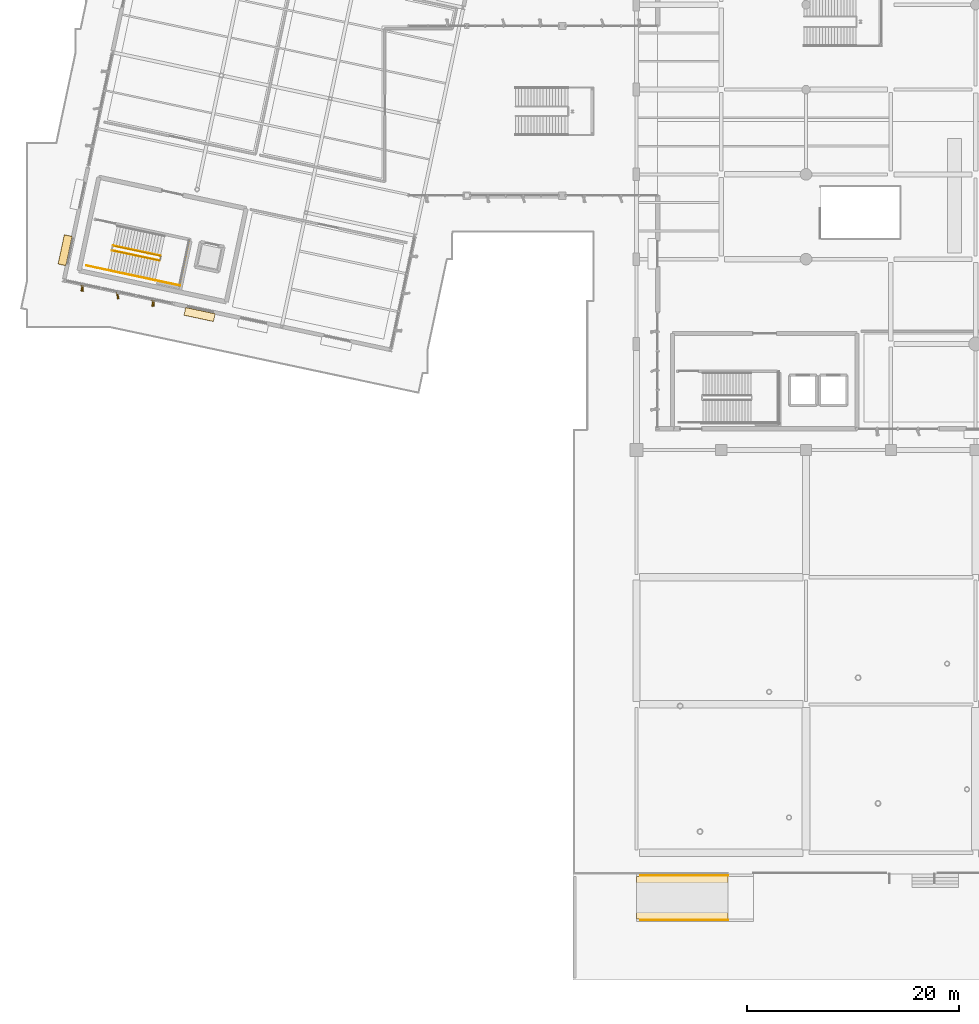
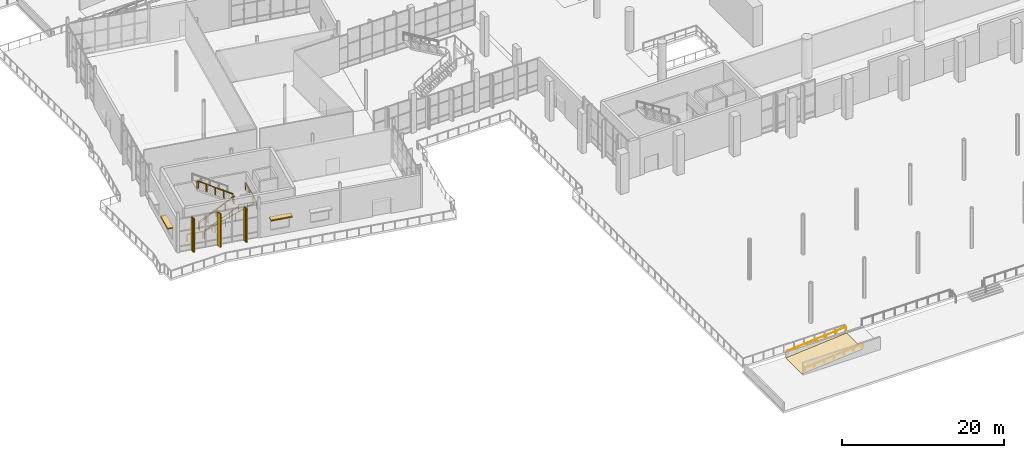
# One storey, part 142 of 163: 9 railings, 5 coverings, 5 shading devices, 1 element without a shape of its own.
"""IFC4 building model written with IfcOpenShell, lengths in metres."""

from ifc_helpers import new_model, si_unit, direction, frame, origin, origin_2d, place, context, subcontext, project, spatial, polyline, rectangle, outline, extrude, material, layer, layer_set, type_object, element, aggregate, save


model = new_model("IFC4")

# Units and contexts
model_context = context("Model", 3, precision=1e-05, world=origin(), true_north=direction((0.0, 1.0)))
body_context = subcontext(model_context, "Body", "Model", "MODEL_VIEW")
ifc_project = project(units=[si_unit("LENGTHUNIT", "METRE"), si_unit("AREAUNIT", "SQUARE_METRE"), si_unit("VOLUMEUNIT", "CUBIC_METRE"), si_unit("PLANEANGLEUNIT", "RADIAN"), si_unit("MASSUNIT", "GRAM", prefix="KILO")], contexts=[model_context])

# Site, building, storey
site_placement = place(None, origin())
site = spatial("IfcSite", under=ifc_project, at=site_placement, CompositionType="ELEMENT")
building_placement = place(site_placement, origin())
building = spatial("IfcBuilding", under=site, at=building_placement, Name="Khorjan Park Terminus", CompositionType="ELEMENT")
storey_placement = place(building_placement, origin())
storey = spatial("IfcBuildingStorey", under=building, at=storey_placement, Name="L00", CompositionType="ELEMENT", Elevation=0.0)

# Coverings
ifc_material_1 = material(Name="Pigmented Precast GRC", Category="concrete")
ifc_layer_1 = layer(ifc_material_1, 0.16)
ifc_layer_set_1 = layer_set([ifc_layer_1], Name="Pigmented Precast GRC")
covering_type_1 = type_object("IfcCoveringType", Name="CV-FIN-GRC", PredefinedType="CLADDING", material=ifc_layer_set_1)
for number, where, z_axis, x_axis, name in (
    (1, (-4.2755, 41.2706, -0.02), (0.0, 0.0, 1.0), (0.207911690818, 0.978147600734, 0.0), "Projecting desert-sandstone GRC facade fin CL-FN1 (CW-V4-S-L00-B01-1)"),
    (2, (2.4087, 39.8498, -0.02), (0.0, 0.0, 1.0), (0.207911690818, 0.978147600734, 0.0), "Projecting desert-sandstone GRC facade fin CL-FN1 (CW-V4-S-L00-B01-5)"),
):
    element("IfcCovering", number, at=place(storey_placement, frame(where, z_axis=z_axis, x_axis=x_axis)), inside=storey, type_object=covering_type_1, Name=name, PredefinedType="CLADDING", context=body_context, shape_type="SweptSolid", body=[
        extrude(rectangle(XDim=0.58, YDim=0.16, at=origin_2d()), origin(), (0.0, 0.0, 1.0), 5.065),
    ])
ifc_material_2 = material(Name="Exterior Flamed Granite Ramp Paving", Category="masonry")
ifc_layer_2 = layer(ifc_material_2, 0.045)
ifc_layer_set_2 = layer_set([ifc_layer_2], Name="Exterior Flamed Granite Ramp Paving")
covering_type_2 = type_object("IfcCoveringType", Name="CV-FLR-GRNE", PredefinedType="FLOORING", material=ifc_layer_set_2)
covering_placement = place(storey_placement, frame((48.0, -18.24, -0.68), z_axis=(-0.083045479854, 0.0, 0.996545758245), x_axis=(0.996545758245, 0.0, 0.083045479854)))
element("IfcCovering", 3, at=covering_placement, inside=storey, type_object=covering_type_2, Name="Flamed granite ramp wearing surface FF-GRNE (GRMP-S-W)", PredefinedType="FLOORING", context=body_context, shape_type="SweptSolid", body=[
    extrude(outline(polyline([(0.0, 0.0), (8.669948096730455, 0.0), (8.669948096730455, 3.9999999999999982), (0.0, 3.9999999999999982), (0.0, 0.0)])), origin(), (0.0, 0.0, -1.0), 0.045),
])
ifc_layer_3 = layer(ifc_material_1, 0.18)
ifc_layer_set_3 = layer_set([ifc_layer_3], Name="Pigmented Precast GRC")
covering_type_3 = type_object("IfcCoveringType", Name="CV-HOOD-GRC", PredefinedType="CLADDING", material=ifc_layer_set_3)
for number, where, z_axis, x_axis, name in (
    (4, (6.788, 38.7809, 2.73), (0.0, 0.0, 1.0), (0.978149513341, -0.207902692503, 0.0), "Projecting desert-sandstone GRC window eyebrow CL-HD1 (EW-V4-S-L00-B02-1)"),
    (5, (-5.8956, 44.8481, 2.73), (0.0, 0.0, 1.0), (-0.207913167485, -0.978147286857, 0.0), "Projecting desert-sandstone GRC window eyebrow CL-HD1 (EW-V4-W-L00-B04-2)"),
):
    element("IfcCovering", number, at=place(storey_placement, frame(where, z_axis=z_axis, x_axis=x_axis)), inside=storey, type_object=covering_type_3, Name=name, PredefinedType="CLADDING", context=body_context, shape_type="SweptSolid", body=[
        extrude(rectangle(XDim=2.84, YDim=0.74, at=origin_2d()), origin(), (0.0, 0.0, 1.0), 0.16),
    ])

# Railings
ifc_material_3 = material(Name="Steel S355", Category="steel")
railing_type_1 = type_object("IfcRailingType", Name="GR-112", PredefinedType="GUARDRAIL", material=ifc_material_3)
railing_1_placement = place(storey_placement, frame((-1.4551, 44.8166, 0.1765)))
element("IfcRailing", 6, at=railing_1_placement, inside=storey, type_object=railing_type_1, Name="L00 ST-08 stair guard 1", PredefinedType="GUARDRAIL", context=body_context, shape_type="SweptSolid", body=[
    extrude(rectangle(XDim=0.048, YDim=0.048, at=origin_2d()), frame((0.0, 0.0, 1.096), z_axis=(0.831634415658, -0.176771722152, 0.526437039864), x_axis=(0.20791435807, 0.978147033788, 0.0)), (0.0, 0.0, 1.0), 5.3634),
    extrude(rectangle(XDim=0.042, YDim=0.042, at=origin_2d()), origin(), (0.0, 0.0, 1.0), 1.072),
    extrude(rectangle(XDim=0.042, YDim=0.042, at=origin_2d()), frame((1.1151, -0.237, 0.7059)), (0.0, 0.0, 1.0), 1.072),
    extrude(rectangle(XDim=0.042, YDim=0.042, at=origin_2d()), frame((2.2302, -0.4741, 1.4118)), (0.0, 0.0, 1.0), 1.072),
    extrude(rectangle(XDim=0.042, YDim=0.042, at=origin_2d()), frame((3.3453, -0.7111, 2.1176)), (0.0, 0.0, 1.0), 1.072),
    extrude(rectangle(XDim=0.042, YDim=0.042, at=origin_2d()), frame((4.4604, -0.9481, 2.8235)), (0.0, 0.0, 1.0), 1.072),
])
railing_2_placement = place(storey_placement, frame((2.6102, 42.01, 3.0)))
element("IfcRailing", 7, at=railing_2_placement, inside=storey, type_object=railing_type_1, Name="L00 ST-08 stair guard 3", PredefinedType="GUARDRAIL", context=body_context, shape_type="SweptSolid", body=[
    extrude(rectangle(XDim=0.048, YDim=0.048, at=origin_2d()), frame((0.0, 0.0, 1.096), z_axis=(0.97815030729, -0.207898957065, 0.0), x_axis=(0.207898957065, 0.97815030729, 0.0)), (0.0, 0.0, 1.0), 2.38),
    extrude(rectangle(XDim=0.042, YDim=0.042, at=origin_2d()), origin(), (0.0, 0.0, 1.0), 1.072),
    extrude(rectangle(XDim=0.042, YDim=0.042, at=origin_2d()), frame((1.164, -0.2474, 0.0)), (0.0, 0.0, 1.0), 1.072),
    extrude(rectangle(XDim=0.042, YDim=0.042, at=origin_2d()), frame((2.328, -0.4948, 0.0)), (0.0, 0.0, 1.0), 1.072),
])
railing_3_placement = place(storey_placement, frame((3.1009, 44.3185, 3.1765)))
element("IfcRailing", 8, at=railing_3_placement, inside=storey, type_object=railing_type_1, Name="L00 ST-08 stair guard 5", PredefinedType="GUARDRAIL", context=body_context, shape_type="SweptSolid", body=[
    extrude(rectangle(XDim=0.048, YDim=0.048, at=origin_2d()), frame((0.0, 0.0, 1.096), z_axis=(-0.831631406653, 0.17675640058, 0.526446937803), x_axis=(-0.207897835846, -0.978150545596, 0.0)), (0.0, 0.0, 1.0), 5.3633),
    extrude(rectangle(XDim=0.042, YDim=0.042, at=origin_2d()), origin(), (0.0, 0.0, 1.0), 1.072),
    extrude(rectangle(XDim=0.042, YDim=0.042, at=origin_2d()), frame((-1.1151, 0.237, 0.7059)), (0.0, 0.0, 1.0), 1.072),
    extrude(rectangle(XDim=0.042, YDim=0.042, at=origin_2d()), frame((-2.2302, 0.474, 1.4118)), (0.0, 0.0, 1.0), 1.072),
    extrude(rectangle(XDim=0.042, YDim=0.042, at=origin_2d()), frame((-3.3452, 0.711, 2.1176)), (0.0, 0.0, 1.0), 1.072),
    extrude(rectangle(XDim=0.042, YDim=0.042, at=origin_2d()), frame((-4.4603, 0.948, 2.8235)), (0.0, 0.0, 1.0), 1.072),
])
railing_4_placement = place(storey_placement, frame((-3.8651, 43.3864, 0.0)))
element("IfcRailing", 9, at=railing_4_placement, inside=storey, type_object=railing_type_1, Name="L00 ST-08 stair guard 7", PredefinedType="GUARDRAIL", context=body_context, shape_type="SweptSolid", body=[
    extrude(rectangle(XDim=0.048, YDim=0.048, at=origin_2d()), frame((0.0, 0.0, 1.096), z_axis=(0.978147746029, -0.207911007258, 0.0), x_axis=(0.207911007258, 0.978147746029, 0.0)), (0.0, 0.0, 1.0), 2.06),
    extrude(rectangle(XDim=0.042, YDim=0.042, at=origin_2d()), origin(), (0.0, 0.0, 1.0), 1.072),
    extrude(rectangle(XDim=0.042, YDim=0.042, at=origin_2d()), frame((1.0075, -0.2142, 0.0)), (0.0, 0.0, 1.0), 1.072),
    extrude(rectangle(XDim=0.042, YDim=0.042, at=origin_2d()), frame((2.015, -0.4283, 0.0)), (0.0, 0.0, 1.0), 1.072),
])
railing_5_placement = place(storey_placement, frame((-1.2769, 44.7889, 0.0)))
element("IfcRailing", 10, at=railing_5_placement, inside=storey, type_object=railing_type_1, Name="Core K8 stair well slot guard GR-112 (L00)", PredefinedType="GUARDRAIL", context=body_context, shape_type="SweptSolid", body=[
    extrude(rectangle(XDim=0.048, YDim=0.048, at=origin_2d()), frame((0.0, 0.0, 1.096), z_axis=(0.809333684696, -0.172016635719, 0.56159528475), x_axis=(0.207897179209, 0.978150685159, 0.0)), (0.0, 0.0, 1.0), 5.3419),
    extrude(rectangle(XDim=0.048, YDim=0.048, at=origin_2d()), frame((4.3234, -0.9189, 4.096), z_axis=(0.207945732652, 0.978140364299, 0.0), x_axis=(-0.978140364299, 0.207945732652, 0.0)), (0.0, 0.0, 1.0), 0.44),
    extrude(rectangle(XDim=0.048, YDim=0.048, at=origin_2d()), frame((4.4149, -0.4885, 4.096), z_axis=(-0.809340142501, 0.172014029593, 0.561586776339), x_axis=(-0.207892578494, -0.978151662988, 0.0)), (0.0, 0.0, 1.0), 5.342),
    extrude(rectangle(XDim=0.042, YDim=0.042, at=origin_2d()), origin(), (0.0, 0.0, 1.0), 1.072),
    extrude(rectangle(XDim=0.042, YDim=0.042, at=origin_2d()), frame((1.0808, -0.2297, 0.75)), (0.0, 0.0, 1.0), 1.072),
    extrude(rectangle(XDim=0.042, YDim=0.042, at=origin_2d()), frame((2.1617, -0.4595, 1.5)), (0.0, 0.0, 1.0), 1.072),
    extrude(rectangle(XDim=0.042, YDim=0.042, at=origin_2d()), frame((3.2425, -0.6892, 2.25)), (0.0, 0.0, 1.0), 1.072),
    extrude(rectangle(XDim=0.042, YDim=0.042, at=origin_2d()), frame((4.3234, -0.9189, 3.0)), (0.0, 0.0, 1.0), 1.072),
    extrude(rectangle(XDim=0.042, YDim=0.042, at=origin_2d()), frame((4.4149, -0.4885, 3.0)), (0.0, 0.0, 1.0), 1.072),
    extrude(rectangle(XDim=0.042, YDim=0.042, at=origin_2d()), frame((3.334, -0.2588, 3.75)), (0.0, 0.0, 1.0), 1.072),
    extrude(rectangle(XDim=0.042, YDim=0.042, at=origin_2d()), frame((2.2531, -0.029, 4.5)), (0.0, 0.0, 1.0), 1.072),
    extrude(rectangle(XDim=0.042, YDim=0.042, at=origin_2d()), frame((1.1723, 0.2007, 5.25)), (0.0, 0.0, 1.0), 1.072),
    extrude(rectangle(XDim=0.042, YDim=0.042, at=origin_2d()), frame((0.0914, 0.4304, 6.0)), (0.0, 0.0, 1.0), 1.072),
])
railing_6_placement = place(storey_placement, frame((-1.6761, 42.9109, 0.0)))
element("IfcRailing", 11, at=railing_6_placement, inside=storey, type_object=railing_type_1, Name="Core K8 stair side & landing guard GR-112 (L00)", PredefinedType="GUARDRAIL", context=body_context, shape_type="SweptSolid", body=[
    extrude(rectangle(XDim=0.048, YDim=0.048, at=origin_2d()), frame((0.0, 0.0, 1.096), z_axis=(0.893181432823, -0.189857616336, 0.407653055403), x_axis=(0.20791802157, 0.978146255069, 0.0)), (0.0, 0.0, 1.0), 7.3592),
    extrude(rectangle(XDim=0.048, YDim=0.048, at=origin_2d()), frame((6.5731, -1.3972, 4.096), z_axis=(0.207918834038, 0.978146082368, 0.0), x_axis=(-0.978146082368, 0.207918834038, 0.0)), (0.0, 0.0, 1.0), 4.28),
    extrude(rectangle(XDim=0.042, YDim=0.042, at=origin_2d()), origin(), (0.0, 0.0, 1.0), 1.072),
    extrude(rectangle(XDim=0.042, YDim=0.042, at=origin_2d()), frame((1.3146, -0.2794, 0.6)), (0.0, 0.0, 1.0), 1.072),
    extrude(rectangle(XDim=0.042, YDim=0.042, at=origin_2d()), frame((2.6292, -0.5589, 1.2)), (0.0, 0.0, 1.0), 1.072),
    extrude(rectangle(XDim=0.042, YDim=0.042, at=origin_2d()), frame((3.9439, -0.8383, 1.8)), (0.0, 0.0, 1.0), 1.072),
    extrude(rectangle(XDim=0.042, YDim=0.042, at=origin_2d()), frame((5.2585, -1.1178, 2.4)), (0.0, 0.0, 1.0), 1.072),
    extrude(rectangle(XDim=0.042, YDim=0.042, at=origin_2d()), frame((6.5731, -1.3972, 3.0)), (0.0, 0.0, 1.0), 1.072),
    extrude(rectangle(XDim=0.042, YDim=0.042, at=origin_2d()), frame((6.8697, -0.0017, 3.0)), (0.0, 0.0, 1.0), 1.072),
    extrude(rectangle(XDim=0.042, YDim=0.042, at=origin_2d()), frame((7.1664, 1.3938, 3.0)), (0.0, 0.0, 1.0), 1.072),
    extrude(rectangle(XDim=0.042, YDim=0.042, at=origin_2d()), frame((7.463, 2.7893, 3.0)), (0.0, 0.0, 1.0), 1.072),
])
railing_type_2 = type_object("IfcRailingType", Name="HR-92", PredefinedType="HANDRAIL", material=ifc_material_3)
railing_7_placement = place(storey_placement, frame((-1.8501, 42.9581, 0.1765)))
element("IfcRailing", 12, at=railing_7_placement, inside=storey, type_object=railing_type_2, Name="L00 ST-08 stair handrail 1", PredefinedType="HANDRAIL", context=body_context, shape_type="SweptSolid", body=[
    extrude(rectangle(XDim=0.048, YDim=0.048, at=origin_2d()), frame((0.0, 0.0, 0.896), z_axis=(0.83162866575, -0.176774463152, 0.526445202732), x_axis=(0.207918818, 0.978146085777, 0.0)), (0.0, 0.0, 1.0), 5.3633),
    extrude(rectangle(XDim=0.042, YDim=0.042, at=origin_2d()), origin(), (0.0, 0.0, 1.0), 0.872),
    extrude(rectangle(XDim=0.042, YDim=0.042, at=origin_2d()), frame((1.1151, -0.237, 0.7059)), (0.0, 0.0, 1.0), 0.872),
    extrude(rectangle(XDim=0.042, YDim=0.042, at=origin_2d()), frame((2.2302, -0.4741, 1.4118)), (0.0, 0.0, 1.0), 0.872),
    extrude(rectangle(XDim=0.042, YDim=0.042, at=origin_2d()), frame((3.3452, -0.7111, 2.1176)), (0.0, 0.0, 1.0), 0.872),
    extrude(rectangle(XDim=0.042, YDim=0.042, at=origin_2d()), frame((4.4603, -0.9481, 2.8235)), (0.0, 0.0, 1.0), 0.872),
])

# Ramp, railings
ifc_material_4 = material(Name="Concrete C40/50", Category="concrete")
ramp_type = type_object("IfcRampType", Name="RMP-ACC-400", PredefinedType="STRAIGHT_RUN_RAMP", material=ifc_material_4)
ramp_placement = place(storey_placement, origin())
ramp = element("IfcRamp", 13, at=ramp_placement, inside=storey, type_object=ramp_type, Name="Accessible 1:12 site-grade approach ramp AR-01", PredefinedType="STRAIGHT_RUN_RAMP")
railing_type_3 = type_object("IfcRailingType", Name="HR-EXT", PredefinedType="HANDRAIL", material=ifc_material_3)
railing_8_placement = place(storey_placement, frame((48.36, -18.35, -0.69)))
railing_8 = element("IfcRailing", 14, at=railing_8_placement, type_object=railing_type_3, Name="Accessible ramp handrail HR-EXT (GRMP-S-W-S)", PredefinedType="HANDRAIL", context=body_context, shape_type="SweptSolid", body=[
    extrude(rectangle(XDim=0.048, YDim=0.048, at=origin_2d()), frame((0.0, 0.0, 0.896), z_axis=(0.996545758245, 0.0, 0.083045479854), x_axis=(0.0, 1.0, 0.0)), (0.0, 0.0, 1.0), 8.3087),
    extrude(rectangle(XDim=0.042, YDim=0.042, at=origin_2d()), frame((0.0, 0.0, 0.442)), (0.0, 0.0, 1.0), 0.43),
    extrude(rectangle(XDim=0.042, YDim=0.042, at=origin_2d()), frame((1.38, 0.0, 0.557)), (0.0, 0.0, 1.0), 0.43),
    extrude(rectangle(XDim=0.042, YDim=0.042, at=origin_2d()), frame((2.76, 0.0, 0.672)), (0.0, 0.0, 1.0), 0.43),
    extrude(rectangle(XDim=0.042, YDim=0.042, at=origin_2d()), frame((4.14, 0.0, 0.787)), (0.0, 0.0, 1.0), 0.43),
    extrude(rectangle(XDim=0.042, YDim=0.042, at=origin_2d()), frame((5.52, 0.0, 0.902)), (0.0, 0.0, 1.0), 0.43),
    extrude(rectangle(XDim=0.042, YDim=0.042, at=origin_2d()), frame((6.9, 0.0, 1.017)), (0.0, 0.0, 1.0), 0.43),
    extrude(rectangle(XDim=0.042, YDim=0.042, at=origin_2d()), frame((8.28, 0.0, 1.132)), (0.0, 0.0, 1.0), 0.43),
])
railing_9_placement = place(storey_placement, frame((48.36, -14.13, -0.69)))
railing_9 = element("IfcRailing", 15, at=railing_9_placement, type_object=railing_type_3, Name="Accessible ramp handrail HR-EXT (GRMP-S-W-N)", PredefinedType="HANDRAIL", context=body_context, shape_type="SweptSolid", body=[
    extrude(rectangle(XDim=0.048, YDim=0.048, at=origin_2d()), frame((0.0, 0.0, 0.896), z_axis=(0.996545758245, 0.0, 0.083045479854), x_axis=(0.0, 1.0, 0.0)), (0.0, 0.0, 1.0), 8.3087),
    extrude(rectangle(XDim=0.042, YDim=0.042, at=origin_2d()), frame((0.0, 0.0, 0.442)), (0.0, 0.0, 1.0), 0.43),
    extrude(rectangle(XDim=0.042, YDim=0.042, at=origin_2d()), frame((1.38, 0.0, 0.557)), (0.0, 0.0, 1.0), 0.43),
    extrude(rectangle(XDim=0.042, YDim=0.042, at=origin_2d()), frame((2.76, 0.0, 0.672)), (0.0, 0.0, 1.0), 0.43),
    extrude(rectangle(XDim=0.042, YDim=0.042, at=origin_2d()), frame((4.14, 0.0, 0.787)), (0.0, 0.0, 1.0), 0.43),
    extrude(rectangle(XDim=0.042, YDim=0.042, at=origin_2d()), frame((5.52, 0.0, 0.902)), (0.0, 0.0, 1.0), 0.43),
    extrude(rectangle(XDim=0.042, YDim=0.042, at=origin_2d()), frame((6.9, 0.0, 1.017)), (0.0, 0.0, 1.0), 0.43),
    extrude(rectangle(XDim=0.042, YDim=0.042, at=origin_2d()), frame((8.28, 0.0, 1.132)), (0.0, 0.0, 1.0), 0.43),
])
aggregate(ramp, [railing_8, railing_9])

# Shading devices
ifc_material_5 = material(Name="Anodized Bronze Aluminium", Category="aluminium")
shading_device_type_1 = type_object("IfcShadingDeviceType", Name="SD-FIN-620", PredefinedType="JALOUSIE", material=ifc_material_5)
for number, where, z_axis, x_axis, name in (
    (16, (-4.2755, 41.2706, -0.02), (0.0, 0.0, 1.0), (-0.173648177667, 0.984807753012, 0.0), "Angled solar brise-soleil fin SF-62 (CW-V4-S-L00-B01-1)"),
    (17, (-0.9334, 40.5602, -0.02), (0.0, 0.0, 1.0), (-0.173648177667, 0.984807753012, 0.0), "Angled solar brise-soleil fin SF-62 (CW-V4-S-L00-B01-3)"),
    (18, (2.4087, 39.8498, -0.02), (0.0, 0.0, 1.0), (-0.173648177667, 0.984807753012, 0.0), "Angled solar brise-soleil fin SF-62 (CW-V4-S-L00-B01-5)"),
):
    element("IfcShadingDevice", number, at=place(storey_placement, frame(where, z_axis=z_axis, x_axis=x_axis)), inside=storey, type_object=shading_device_type_1, Name=name, PredefinedType="JALOUSIE", context=body_context, shape_type="SweptSolid", body=[
        extrude(rectangle(XDim=0.62, YDim=0.14, at=origin_2d()), origin(), (0.0, 0.0, 1.0), 5.065),
    ])
shading_device_type_2 = type_object("IfcShadingDeviceType", Name="SD-SUN-750", PredefinedType="SHUTTER", material=ifc_material_5)
for number, where, z_axis, x_axis, name in (
    (19, (6.788, 38.7809, 2.66), (0.0, 0.0, 1.0), (0.978149513341, -0.207902692503, 0.0), "Projecting solar overhang hood SH-75 (EW-V4-S-L00-B02-1)"),
    (20, (-5.8956, 44.8481, 2.66), (0.0, 0.0, 1.0), (-0.207913167485, -0.978147286857, 0.0), "Projecting solar overhang hood SH-75 (EW-V4-W-L00-B04-2)"),
):
    element("IfcShadingDevice", number, at=place(storey_placement, frame(where, z_axis=z_axis, x_axis=x_axis)), inside=storey, type_object=shading_device_type_2, Name=name, PredefinedType="SHUTTER", context=body_context, shape_type="SweptSolid", body=[
        extrude(rectangle(XDim=2.76, YDim=0.76, at=origin_2d()), origin(), (0.0, 0.0, 1.0), 0.14),
    ])

save(model, "model.ifc")
